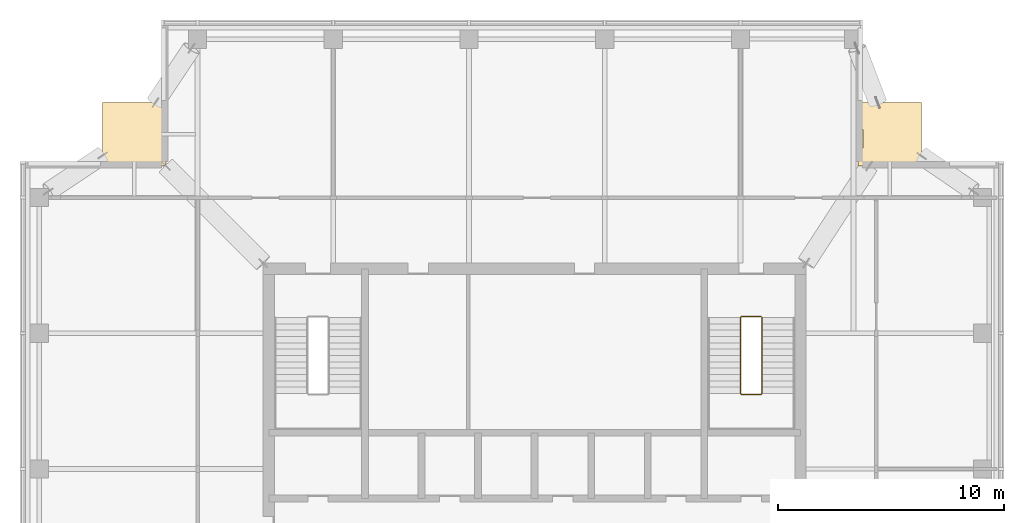
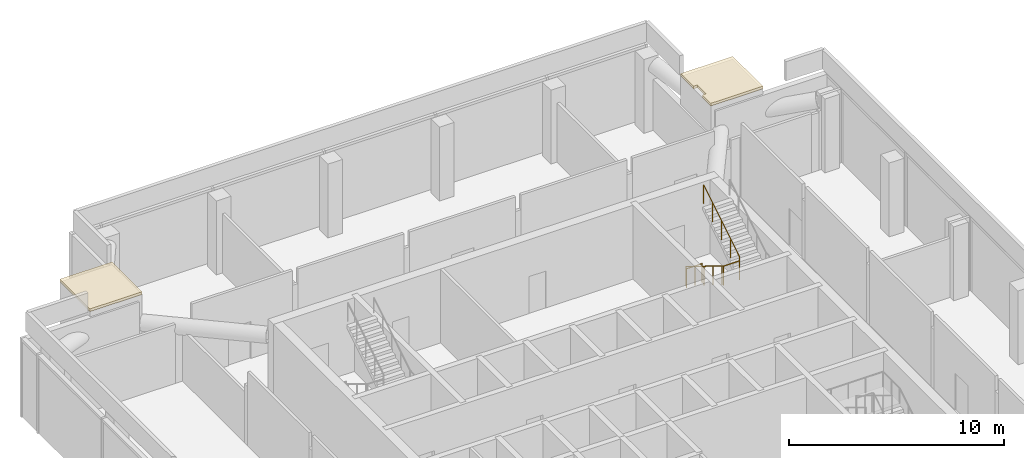
# One storey, part 11 of 11: 2 coverings, 1 railing.
"""IFC4 building model written with IfcOpenShell, lengths in metres."""

from ifc_helpers import new_model, si_unit, direction, frame, origin, origin_2d, place, context, subcontext, project, spatial, polyline, circle, outline, extrude, material, layer, layer_set, type_object, element, save


model = new_model("IFC4")

# Units and contexts
model_context = context("Model", 3, precision=1e-05, world=origin(), true_north=direction((0.0, 1.0)))
body_context = subcontext(model_context, "Body", "Model", "MODEL_VIEW")
ifc_project = project(units=[si_unit("LENGTHUNIT", "METRE"), si_unit("AREAUNIT", "SQUARE_METRE"), si_unit("VOLUMEUNIT", "CUBIC_METRE"), si_unit("PLANEANGLEUNIT", "RADIAN"), si_unit("MASSUNIT", "GRAM", prefix="KILO")], contexts=[model_context])

# Site, building, storey
site_placement = place(None, origin())
site = spatial("IfcSite", under=ifc_project, at=site_placement, CompositionType="ELEMENT")
building_placement = place(site_placement, origin())
building = spatial("IfcBuilding", under=site, at=building_placement, Name="Amberfall Residences", CompositionType="ELEMENT")
storey_placement = place(building_placement, frame((0.0, 0.0, 286.300048828125)))
storey = spatial("IfcBuildingStorey", under=building, at=storey_placement, Name="L77 Crown", CompositionType="ELEMENT", Elevation=286.300048828125)

# Coverings
ifc_material_1 = material(Name="Pale limestone cladding", Category="masonry")
ifc_layer = layer(ifc_material_1, 0.14990234375)
ifc_layer_set = layer_set([ifc_layer], Name="Limestone capping 2800 x 2800 x 150")
covering_type = type_object("IfcCoveringType", Name="Limestone capping 2800 x 2800 x 150", PredefinedType="CLADDING", material=ifc_layer_set)
covering_1_placement = place(storey_placement, frame((0.0, 0.0, 4.5)))
element("IfcCovering", 1, at=covering_1_placement, inside=storey, type_object=covering_type, Name="Limestone capping L77 Crown", PredefinedType="CLADDING", context=body_context, shape_type="SweptSolid", body=[
    extrude(outline(polyline([(88.800048828125, 64.60009765625), (88.800048828125, 63.409912109375), (89.0, 63.409912109375), (89.0009765625, 63.409912109375), (89.001953125, 63.409912109375), (89.0029296875, 63.40966796875), (89.00390625, 63.4091796875), (89.004638671875, 63.40869140625), (89.005615234375, 63.408203125), (89.00634765625, 63.40771484375), (89.007080078125, 63.406982421875), (89.0078125, 63.40625), (89.00830078125, 63.405517578125), (89.0087890625, 63.40478515625), (89.00927734375, 63.40380859375), (89.009521484375, 63.40283203125), (89.009765625, 63.402099609375), (89.010009765625, 63.40087890625), (89.010009765625, 63.39990234375), (89.010009765625, 62.60009765625), (89.010009765625, 62.59912109375), (89.009765625, 62.597900390625), (89.009521484375, 62.59716796875), (89.00927734375, 62.59619140625), (89.0087890625, 62.59521484375), (89.00830078125, 62.594482421875), (89.0078125, 62.59375), (89.007080078125, 62.593017578125), (89.00634765625, 62.59228515625), (89.005615234375, 62.591796875), (89.004638671875, 62.59130859375), (89.00390625, 62.5908203125), (89.0029296875, 62.59033203125), (89.001953125, 62.590087890625), (89.0009765625, 62.590087890625), (89.0, 62.590087890625), (88.800048828125, 62.590087890625), (88.800048828125, 61.800048828125), (91.60009765625, 61.800048828125), (91.60009765625, 64.60009765625), (88.800048828125, 64.60009765625)])), origin(), (0.0, 0.0, 1.0), 0.14990234375),
])
covering_2_placement = place(storey_placement, frame((0.0, 0.0, 4.5)))
element("IfcCovering", 2, at=covering_2_placement, inside=storey, type_object=covering_type, Name="Limestone capping L77 Crown", PredefinedType="CLADDING", context=body_context, shape_type="SweptSolid", body=[
    extrude(outline(polyline([(58.199951171875, 64.60009765625), (55.39990234375, 64.60009765625), (55.39990234375, 61.800048828125), (58.199951171875, 61.800048828125), (58.199951171875, 64.60009765625)])), origin(), (0.0, 0.0, 1.0), 0.14990234375),
])

# Railing
ifc_material_2 = material(Name="Stainless steel 316", Category="steel")
railing_type = type_object("IfcRailingType", Name="Stair guard 1100", PredefinedType="GUARDRAIL", material=ifc_material_2)
railing_placement = place(storey_placement, frame((84.5, 55.14990234375, 0.0)))
element("IfcRailing", 3, at=railing_placement, inside=storey, type_object=railing_type, Name="L77 Crown stair 3 guard", PredefinedType="GUARDRAIL", context=body_context, shape_type="SweptSolid", body=[
    extrude(circle(Radius=0.02392578125, at=origin_2d()), frame((0.0, 0.0, 1.076171875), z_axis=(-1.0, 0.0, 0.0), x_axis=(0.0, -1.0, 0.0)), (0.0, 0.0, 1.0), 0.85009765625),
    extrude(circle(Radius=0.02392578125, at=origin_2d()), frame((-0.85009765625, 0.0, 1.076171875), z_axis=(-0.26651005591, -0.26651005591, 0.926253086471), x_axis=(0.707106781187, -0.707106781187, 0.0)), (0.0, 0.0, 1.0), 0.186767578125),
    extrude(circle(Radius=0.02392578125, at=origin_2d()), frame((-0.89990234375, -0.0498046875, 1.2490234375), z_axis=(0.0, -0.850623216509, 0.525775754039), x_axis=(1.0, 0.0, 0.0)), (0.0, 0.0, 1.0), 3.9501953125),
    extrude(circle(Radius=0.02392578125, at=origin_2d()), frame((-0.89990234375, -3.409912109375, 3.326171875), z_axis=(0.705375805398, -0.708833529934, 0.0), x_axis=(0.708833529934, 0.705375805398, 0.0)), (0.0, 0.0, 1.0), 0.070556640625),
    extrude(circle(Radius=0.02392578125, at=origin_2d()), frame((-0.85009765625, -3.4599609375, 3.326171875), z_axis=(1.0, 0.0, 0.0), x_axis=(0.0, 1.0, 0.0)), (0.0, 0.0, 1.0), 0.85009765625),
    extrude(circle(Radius=0.02392578125, at=origin_2d()), frame((0.0, -3.4599609375, 3.326171875), z_axis=(0.267629722418, 0.267629722418, 0.925607186314), x_axis=(-0.707106781187, 0.707106781187, 0.0)), (0.0, 0.0, 1.0), 0.18701171875),
    extrude(circle(Radius=0.02392578125, at=origin_2d()), frame((0.050048828125, -3.409912109375, 3.4990234375), z_axis=(0.0, 0.850623216509, 0.525775754039), x_axis=(-1.0, 0.0, 0.0)), (0.0, 0.0, 1.0), 3.9501953125),
    extrude(circle(Radius=0.02099609375, at=origin_2d()), origin(), (0.0, 0.0, 1.0), 1.052001953125),
    extrude(circle(Radius=0.02099609375, at=origin_2d()), frame((-0.85009765625, 0.0, 0.0)), (0.0, 0.0, 1.0), 1.052001953125),
    extrude(circle(Radius=0.02099609375, at=origin_2d()), frame((-0.89990234375, -0.0498046875, 0.173095703125)), (0.0, 0.0, 1.0), 1.052001953125),
    extrude(circle(Radius=0.02099609375, at=origin_2d()), frame((-0.89990234375, -0.889892578125, 0.6923828125)), (0.0, 0.0, 1.0), 1.052001953125),
    extrude(circle(Radius=0.02099609375, at=origin_2d()), frame((-0.89990234375, -1.72998046875, 1.21142578125)), (0.0, 0.0, 1.0), 1.052001953125),
    extrude(circle(Radius=0.02099609375, at=origin_2d()), frame((-0.89990234375, -2.56982421875, 1.730712890625)), (0.0, 0.0, 1.0), 1.052001953125),
    extrude(circle(Radius=0.02099609375, at=origin_2d()), frame((-0.89990234375, -3.409912109375, 2.25)), (0.0, 0.0, 1.0), 1.052001953125),
    extrude(circle(Radius=0.02099609375, at=origin_2d()), frame((-0.85009765625, -3.4599609375, 2.25)), (0.0, 0.0, 1.0), 1.052001953125),
    extrude(circle(Radius=0.02099609375, at=origin_2d()), frame((0.0, -3.4599609375, 2.25)), (0.0, 0.0, 1.0), 1.052001953125),
    extrude(circle(Radius=0.02099609375, at=origin_2d()), frame((0.050048828125, -3.409912109375, 2.423095703125)), (0.0, 0.0, 1.0), 1.052001953125),
    extrude(circle(Radius=0.02099609375, at=origin_2d()), frame((0.050048828125, -2.56982421875, 2.9423828125)), (0.0, 0.0, 1.0), 1.052001953125),
    extrude(circle(Radius=0.02099609375, at=origin_2d()), frame((0.050048828125, -1.72998046875, 3.46142578125)), (0.0, 0.0, 1.0), 1.052001953125),
    extrude(circle(Radius=0.02099609375, at=origin_2d()), frame((0.050048828125, -0.889892578125, 3.980712890625)), (0.0, 0.0, 1.0), 1.052001953125),
    extrude(circle(Radius=0.02099609375, at=origin_2d()), frame((0.050048828125, -0.0498046875, 4.5)), (0.0, 0.0, 1.0), 1.052001953125),
])

save(model, "model.ifc")
